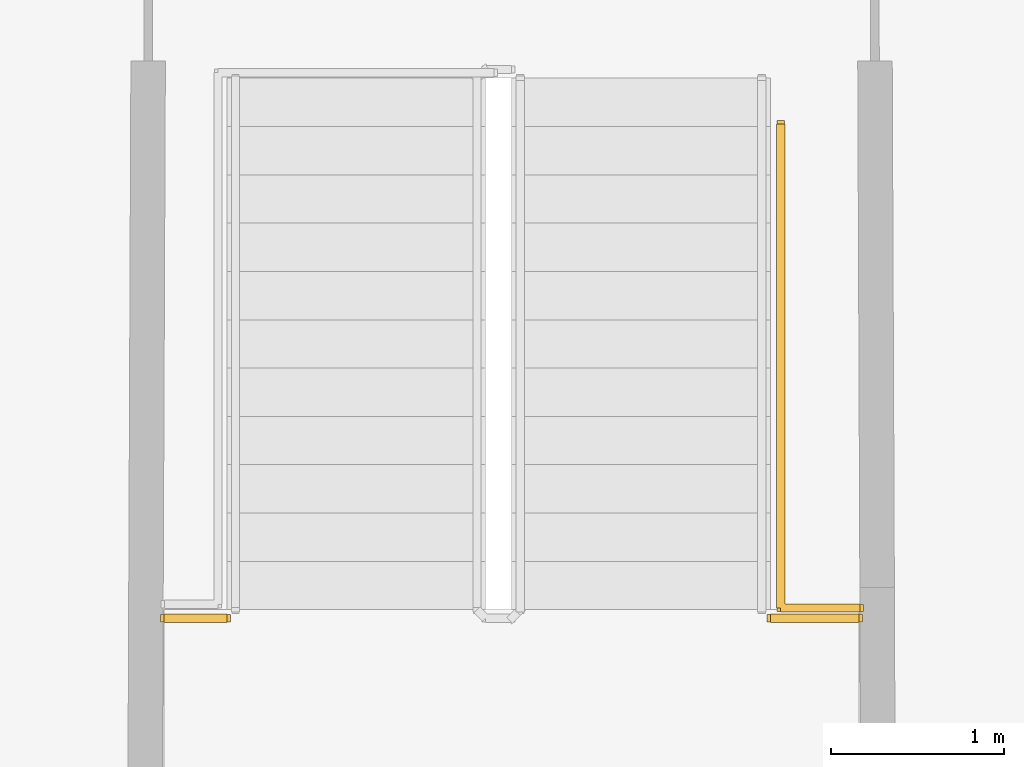
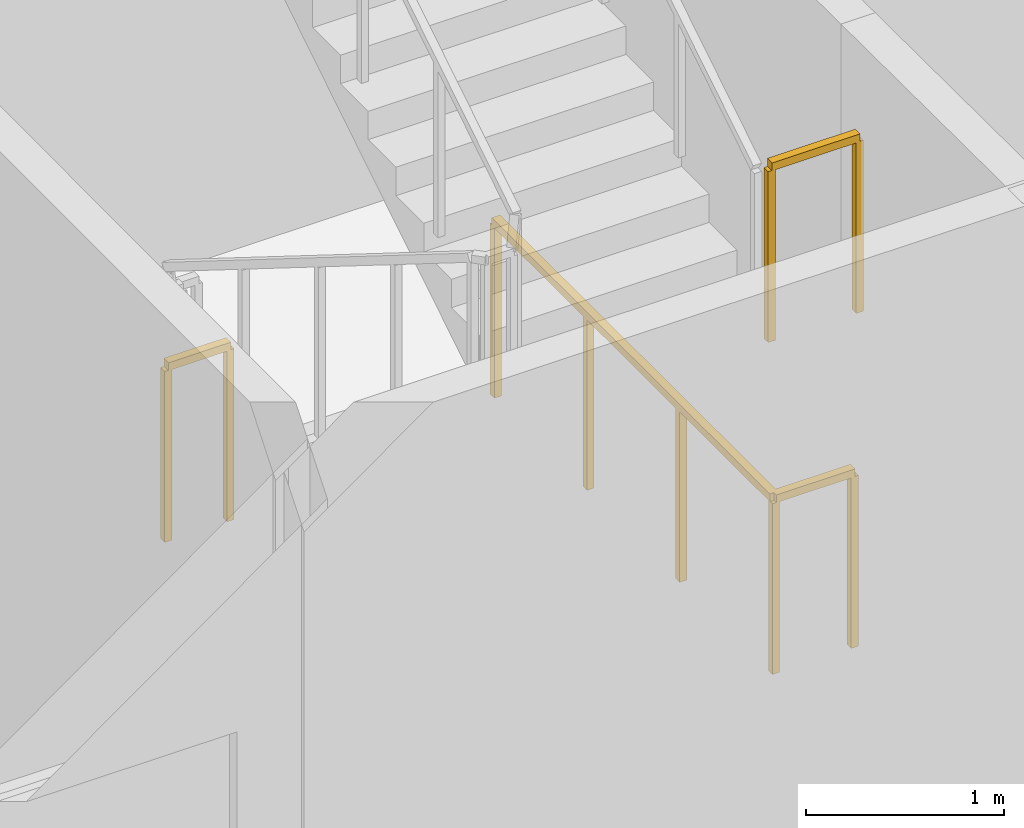
# One storey, part 16 of 17: 3 railings.
"""IFC4 building model written with IfcOpenShell, lengths in metres."""

import ifcopenshell
import ifcopenshell.guid

model = None  # the IFC model being written
_history = None  # IfcOwnerHistory: only IFC2X3 demands one
_inside = {}  # id of a spatial element -> (the spatial element, [elements in it])
_under = {}  # id of a project, library or spatial element -> (it, [spatial elements below it])
_declared = {}  # id of a project -> (the project, [libraries it declares])
_typed = {}  # id of a type object -> (the type object, [elements of that type])
_made_of = {}  # id of a material, layer set ... -> (it, [elements and type objects made of it])


def new_model(schema):
    """Start an empty IFC model of exactly this schema.

    Asked for "IFC4X3", IfcOpenShell would pick the latest addendum, in which some entities
    have other attributes; the version numbers below select the first issue.
    IFC2X3 requires an IfcOwnerHistory on every rooted entity: one is made here for all.
    """
    global model, _history
    if schema == "IFC4X3":
        model = ifcopenshell.file(schema_version=(4, 3, 0, 0))
    else:
        model = ifcopenshell.file(schema=schema)
    _inside.clear()
    _under.clear()
    _declared.clear()
    _typed.clear()
    _made_of.clear()
    _history = None
    if model.schema == "IFC2X3":
        org = make("IfcOrganization", Name="unknown")
        user = make(
            "IfcPersonAndOrganization",
            ThePerson=make("IfcPerson", FamilyName="unknown"),
            TheOrganization=org,
        )
        app = make(
            "IfcApplication",
            ApplicationDeveloper=org,
            Version="unknown",
            ApplicationFullName="unknown",
            ApplicationIdentifier="unknown",
        )
        _history = make(
            "IfcOwnerHistory",
            OwningUser=user,
            OwningApplication=app,
            ChangeAction="ADDED",
            CreationDate=0,
        )
    return model


def make(cls, **values):
    """One entity of the class cls with the attributes given. An attribute that is None is left unset."""
    return model.create_entity(
        cls, **{name: value for name, value in values.items() if value is not None}
    )


def rooted(cls, **values):
    """An entity with a GlobalId (a new one), such as an element, a storey or a relation."""
    return make(cls, GlobalId=ifcopenshell.guid.new(), OwnerHistory=_history, **values)


def si_unit(unit_type, name, prefix=None):
    """IfcSIUnit, for example si_unit("LENGTHUNIT", "METRE", prefix="MILLI")."""
    return make("IfcSIUnit", UnitType=unit_type, Prefix=prefix, Name=name)


def assignment(units):
    """IfcUnitAssignment: the units of a project."""
    return None if units is None else make("IfcUnitAssignment", Units=units)


def point(xyz):
    """IfcCartesianPoint."""
    return None if xyz is None else make("IfcCartesianPoint", Coordinates=xyz)


def direction(xyz):
    """IfcDirection."""
    return None if xyz is None else make("IfcDirection", DirectionRatios=xyz)


def frame(location, z_axis=None, x_axis=None):
    """IfcAxis2Placement3D, a coordinate frame: its origin and axes. An axis left out is left unset."""
    return make(
        "IfcAxis2Placement3D",
        Location=point(location),
        Axis=direction(z_axis),
        RefDirection=direction(x_axis),
    )


def frame_2d(location, x_axis=None):
    """IfcAxis2Placement2D, a coordinate frame in the plane: its origin and x axis."""
    return make(
        "IfcAxis2Placement2D", Location=point(location), RefDirection=direction(x_axis)
    )


def origin():
    """The frame at (0, 0, 0) with its axes left unset."""
    return frame((0.0, 0.0, 0.0))


def origin_2d():
    """The frame at (0, 0) in the plane with its x axis left unset."""
    return frame_2d((0.0, 0.0))


def place(relative_to, where):
    """IfcLocalPlacement: puts the frame where relative to a parent placement (None: the world)."""
    return make(
        "IfcLocalPlacement", PlacementRelTo=relative_to, RelativePlacement=where
    )


def context(
    kind, dimensions, precision=None, world=None, true_north=None, identifier=None
):
    """IfcGeometricRepresentationContext, for example the 3D "Model" context."""
    return make(
        "IfcGeometricRepresentationContext",
        ContextIdentifier=identifier,
        ContextType=kind,
        CoordinateSpaceDimension=dimensions,
        Precision=precision,
        WorldCoordinateSystem=world,
        TrueNorth=true_north,
    )


def subcontext(parent, identifier, kind, view, scale=None):
    """IfcGeometricRepresentationSubContext, for example "Body" below "Model"."""
    return make(
        "IfcGeometricRepresentationSubContext",
        ContextIdentifier=identifier,
        ContextType=kind,
        ParentContext=parent,
        TargetScale=scale,
        TargetView=view,
    )


def project(units=None, contexts=None):
    """IfcProject with its units and contexts."""
    return rooted(
        "IfcProject",
        Name="project",
        RepresentationContexts=contexts,
        UnitsInContext=assignment(units),
    )


def spatial(cls, under=None, at=None, **own):
    """A site, building, storey or space (cls), placed at a placement, below another one or the project."""
    s = rooted(cls, ObjectPlacement=at, **own)
    if under is not None:
        _under.setdefault(under.id(), (under, []))[1].append(s)
    return s


def profile(cls, at=None, kind="AREA", **sizes):
    """A parametric profile (cls). Its sizes go by their IFC names, for example OverallWidth=200.0."""
    return make(cls, ProfileType=kind, Position=at, **sizes)


def rectangle(**sizes):
    """IfcRectangleProfileDef."""
    return profile("IfcRectangleProfileDef", **sizes)


def extrude(swept, where, along, depth):
    """IfcExtrudedAreaSolid: the profile swept, set in the frame where, extruded along a direction by depth."""
    return make(
        "IfcExtrudedAreaSolid",
        SweptArea=swept,
        Position=where,
        ExtrudedDirection=direction(along),
        Depth=depth,
    )


def shape(context_of_items, identifier, shape_type, items):
    """IfcShapeRepresentation: the items that make up one representation, for example the "Body"."""
    return make(
        "IfcShapeRepresentation",
        ContextOfItems=context_of_items,
        RepresentationIdentifier=identifier,
        RepresentationType=shape_type,
        Items=items,
    )


def material(Name=None, Category=None):
    """IfcMaterial."""
    return make("IfcMaterial", Name=Name, Category=Category)


def made_of(thing, what):
    """Note that an element or type object is made of a material, layer set ...; save() writes the relation."""
    if what is not None:
        _made_of.setdefault(what.id(), (what, []))[1].append(thing)
    return thing


def type_object(cls, material=None, **own):
    """A type object (cls), such as IfcWallType, which elements share."""
    return made_of(rooted(cls, **own), material)


def element(
    cls,
    number,
    at=None,
    inside=None,
    cuts=None,
    type_object=None,
    material=None,
    context=None,
    identifier="Body",
    shape_type=None,
    held_by="IfcProductDefinitionShape",
    body=None,
    shapes=None,
    **own,
):
    """One element of the class cls, such as IfcWall. Its Tag is "e" and its number.

    at: its placement. inside: the storey or other place that contains it. cuts: it is an
    opening in that element (IfcRelVoidsElement). A single representation is given by context,
    identifier, shape_type and body (its items); several are given by shapes. held_by: the class
    of the entity that holds the representations. save() writes the other relations.
    """
    e = rooted(cls, Tag="e%d" % number, ObjectPlacement=at, **own)
    if body is not None:
        shapes = [shape(context, identifier, shape_type, body)]
    if shapes is not None:
        e.Representation = make(held_by, Representations=shapes)
    if inside is not None:
        _inside.setdefault(inside.id(), (inside, []))[1].append(e)
    if cuts is not None:
        rooted(
            "IfcRelVoidsElement", RelatingBuildingElement=cuts, RelatedOpeningElement=e
        )
    if type_object is not None:
        _typed.setdefault(type_object.id(), (type_object, []))[1].append(e)
    return made_of(e, material)


def aggregate(whole, parts):
    """IfcRelAggregates: a whole, such as a stair, and the parts it consists of."""
    return rooted("IfcRelAggregates", RelatingObject=whole, RelatedObjects=parts)


def save(model, path):
    """Write the relations noted so far, then the file.

    IfcRelAggregates (storeys below a building ...), IfcRelContainedInSpatialStructure (elements
    in a storey), IfcRelDefinesByType, IfcRelAssociatesMaterial and IfcRelDeclares: one each for
    every whole, place, type object, material and project.
    """
    for whole, parts in _under.values():
        aggregate(whole, parts)
    for where, things in _inside.values():
        rooted(
            "IfcRelContainedInSpatialStructure",
            RelatedElements=things,
            RelatingStructure=where,
        )
    for kind, things in _typed.values():
        rooted("IfcRelDefinesByType", RelatedObjects=things, RelatingType=kind)
    for what, things in _made_of.values():
        rooted("IfcRelAssociatesMaterial", RelatedObjects=things, RelatingMaterial=what)
    for by, libraries in _declared.values():
        rooted("IfcRelDeclares", RelatingContext=by, RelatedDefinitions=libraries)
    model.write(path)


model = new_model("IFC4")

# Units and contexts
model_context = context("Model", 3, precision=1e-05, world=origin(), true_north=direction((0.0, 1.0)))
body_context = subcontext(model_context, "Body", "Model", "MODEL_VIEW")
ifc_project = project(units=[si_unit("LENGTHUNIT", "METRE"), si_unit("AREAUNIT", "SQUARE_METRE"), si_unit("VOLUMEUNIT", "CUBIC_METRE"), si_unit("PLANEANGLEUNIT", "RADIAN"), si_unit("MASSUNIT", "GRAM", prefix="KILO")], contexts=[model_context])

# Site, building, storey
site_placement = place(None, origin())
site = spatial("IfcSite", under=ifc_project, at=site_placement, CompositionType="ELEMENT")
building_placement = place(site_placement, origin())
building = spatial("IfcBuilding", under=site, at=building_placement, Name="Vermilion Ogive Tower", CompositionType="ELEMENT")
storey_placement = place(building_placement, frame((0.0, 0.0, -4.199951171875)))
storey = spatial("IfcBuildingStorey", under=building, at=storey_placement, Name="B1", CompositionType="ELEMENT", Elevation=-4.199951171875)

# Railings
ifc_material = material(Name="Steel S355 painted", Category="steel")
railing_type = type_object("IfcRailingType", Name="Stair guard 1100", PredefinedType="GUARDRAIL", material=ifc_material)
railing_1_placement = place(storey_placement, frame((44.787353515625, 23.6201171875, 2.099853515625)))
element("IfcRailing", 1, at=railing_1_placement, inside=storey, type_object=railing_type, Name="B1 landing guard", PredefinedType="GUARDRAIL", context=body_context, shape_type="SweptSolid", body=[
    extrude(rectangle(XDim=0.048095703125, YDim=0.048095703125, at=origin_2d()), frame((0.0, 0.0, 1.076171875), z_axis=(1.0, 0.0, 0.0), x_axis=(0.0, 1.0, 0.0)), (0.0, 0.0, 1.0), 0.362548828125),
    extrude(rectangle(XDim=0.0419921875, YDim=0.0419921875, at=origin_2d()), origin(), (0.0, 0.0, 1.0), 1.052001953125),
    extrude(rectangle(XDim=0.0419921875, YDim=0.0419921875, at=origin_2d()), frame((0.362548828125, 0.0, 0.0)), (0.0, 0.0, 1.0), 1.052001953125),
])
railing_2_placement = place(storey_placement, frame((48.300048828125, 23.6201171875, 2.099853515625)))
element("IfcRailing", 2, at=railing_2_placement, inside=storey, type_object=railing_type, Name="B1 landing guard", PredefinedType="GUARDRAIL", context=body_context, shape_type="SweptSolid", body=[
    extrude(rectangle(XDim=0.048095703125, YDim=0.048095703125, at=origin_2d()), frame((0.0, 0.0, 1.076171875), z_axis=(1.0, 0.0, 0.0), x_axis=(0.0, 1.0, 0.0)), (0.0, 0.0, 1.0), 0.512451171875),
    extrude(rectangle(XDim=0.0419921875, YDim=0.0419921875, at=origin_2d()), origin(), (0.0, 0.0, 1.0), 1.052001953125),
    extrude(rectangle(XDim=0.0419921875, YDim=0.0419921875, at=origin_2d()), frame((0.512451171875, 0.0, 0.0)), (0.0, 0.0, 1.0), 1.052001953125),
])
railing_3_placement = place(storey_placement, frame((48.359375, 26.484130859375, 0.0)))
element("IfcRailing", 3, at=railing_3_placement, inside=storey, type_object=railing_type, Name="B1 stair opening guard", PredefinedType="GUARDRAIL", context=body_context, shape_type="SweptSolid", body=[
    extrude(rectangle(XDim=0.048095703125, YDim=0.048095703125, at=origin_2d()), frame((0.0, 0.0, 1.076171875), z_axis=(0.0, -1.0, 0.0), x_axis=(1.0, 0.0, 0.0)), (0.0, 0.0, 1.0), 2.804443359375),
    extrude(rectangle(XDim=0.048095703125, YDim=0.048095703125, at=origin_2d()), frame((0.0, -2.804443359375, 1.076171875), z_axis=(1.0, 0.0, 0.0), x_axis=(0.0, 1.0, 0.0)), (0.0, 0.0, 1.0), 0.45849609375),
    extrude(rectangle(XDim=0.0419921875, YDim=0.0419921875, at=origin_2d()), origin(), (0.0, 0.0, 1.0), 1.052001953125),
    extrude(rectangle(XDim=0.0419921875, YDim=0.0419921875, at=origin_2d()), frame((0.0, -0.934814453125, 0.0)), (0.0, 0.0, 1.0), 1.052001953125),
    extrude(rectangle(XDim=0.0419921875, YDim=0.0419921875, at=origin_2d()), frame((0.0, -1.86962890625, 0.0)), (0.0, 0.0, 1.0), 1.052001953125),
    extrude(rectangle(XDim=0.0419921875, YDim=0.0419921875, at=origin_2d()), frame((0.0, -2.804443359375, 0.0)), (0.0, 0.0, 1.0), 1.052001953125),
    extrude(rectangle(XDim=0.0419921875, YDim=0.0419921875, at=origin_2d()), frame((0.45849609375, -2.804443359375, 0.0)), (0.0, 0.0, 1.0), 1.052001953125),
])

save(model, "model.ifc")
